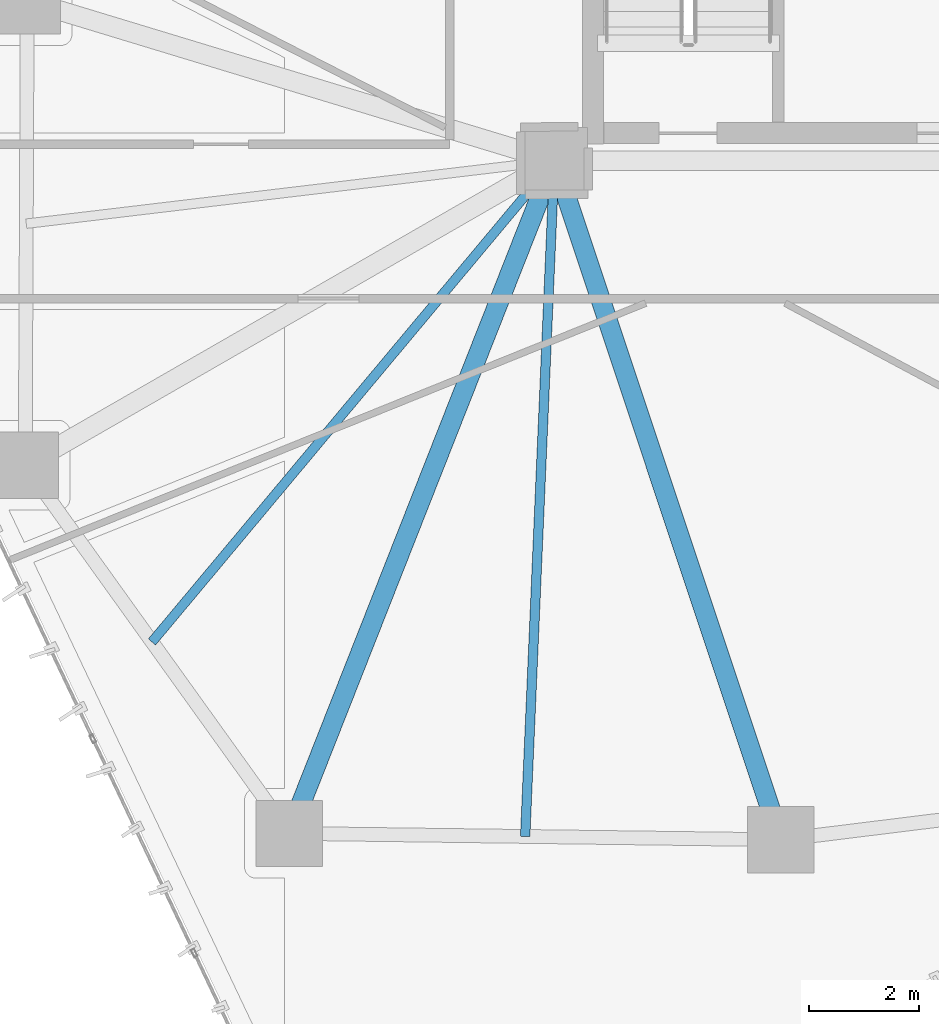
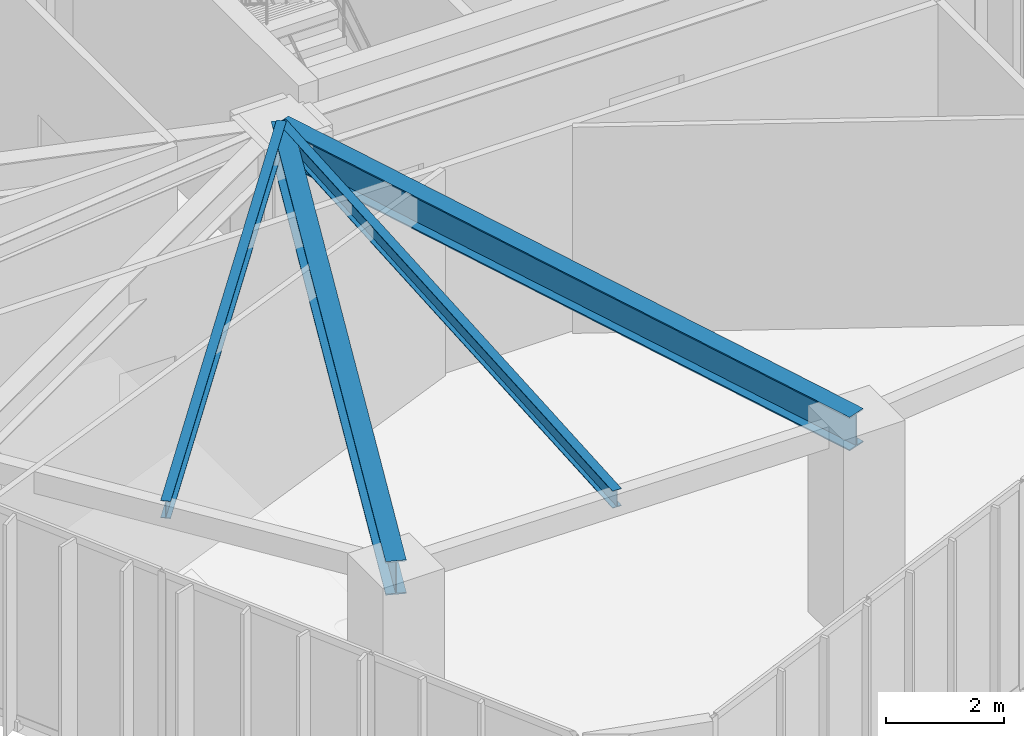
# One storey, part 5 of 28: 4 beams.
"""IFC4 building model written with IfcOpenShell, lengths in metres."""

from ifc_helpers import new_model, si_unit, direction, frame, origin, origin_2d, place, context, subcontext, project, spatial, i_section, extrude, material, material_profile, profile_set, type_object, element, save


model = new_model("IFC4")

# Units and contexts
model_context = context("Model", 3, precision=1e-05, world=origin(), true_north=direction((0.0, 1.0)))
body_context = subcontext(model_context, "Body", "Model", "MODEL_VIEW")
ifc_project = project(units=[si_unit("LENGTHUNIT", "METRE"), si_unit("AREAUNIT", "SQUARE_METRE"), si_unit("VOLUMEUNIT", "CUBIC_METRE"), si_unit("PLANEANGLEUNIT", "RADIAN"), si_unit("MASSUNIT", "GRAM", prefix="KILO")], contexts=[model_context])

# Site, building, storey
site_placement = place(None, origin())
site = spatial("IfcSite", under=ifc_project, at=site_placement, CompositionType="ELEMENT")
building_placement = place(site_placement, origin())
building = spatial("IfcBuilding", under=site, at=building_placement, Name="Talar Marvaseh", CompositionType="ELEMENT")
storey_placement = place(building_placement, frame((0.0, 0.0, 157.800048828125)))
storey = spatial("IfcBuildingStorey", under=building, at=storey_placement, Name="L41", CompositionType="ELEMENT", Elevation=157.800048828125)

# Beams
ifc_material = material(Name="Steel S355", Category="steel")
ifc_material_profile_1 = material_profile(ifc_material, i_section(OverallWidth=0.35498046875, OverallDepth=0.695068359375, WebThickness=0.015380859375, FlangeThickness=0.02490234375, at=origin_2d()), Name="W690x217")
ifc_profile_set_1 = profile_set([ifc_material_profile_1], Name="Steel S355")
beam_type_1 = type_object("IfcBeamType", Name="Zone 2 Radial Floor Girder W690x217", PredefinedType="BEAM", material=ifc_profile_set_1)
beam_1_placement = place(storey_placement, frame((22.804931640625, 13.18310546875, 3.90234375), z_axis=(-0.316182634321, 0.948698340756, 0.0), x_axis=(-0.948698340756, -0.316182634321, 0.0)))
element("IfcBeam", 1, at=beam_1_placement, inside=storey, type_object=beam_type_1, Name="L41 Zone 2 Radial Floor Girder W690x217", PredefinedType="BEAM", context=body_context, shape_type="SweptSolid", body=[
    extrude(i_section(OverallWidth=0.35498046875, OverallDepth=0.695068359375, WebThickness=0.015380859375, FlangeThickness=0.02490234375, at=origin_2d()), origin(), (0.0, 0.0, 1.0), 12.98291015625),
])
beam_2_placement = place(storey_placement, frame((13.89111328125, 13.299072265625, 3.90234375), z_axis=(0.366683712786, 0.930345664136, 0.0), x_axis=(-0.930345664136, 0.366683712786, 0.0)))
element("IfcBeam", 2, at=beam_2_placement, inside=storey, type_object=beam_type_1, Name="L41 Zone 2 Radial Floor Girder W690x217", PredefinedType="BEAM", context=body_context, shape_type="SweptSolid", body=[
    extrude(i_section(OverallWidth=0.35498046875, OverallDepth=0.695068359375, WebThickness=0.015380859375, FlangeThickness=0.02490234375, at=origin_2d()), origin(), (0.0, 0.0, 1.0), 13.114501953125),
])
ifc_material_profile_2 = material_profile(ifc_material, i_section(OverallWidth=0.172119140625, OverallDepth=0.35791015625, WebThickness=0.0078125, FlangeThickness=0.01318359375, at=origin_2d()), Name="W360x57")
ifc_profile_set_2 = profile_set([ifc_material_profile_2], Name="Steel S355")
beam_type_2 = type_object("IfcBeamType", Name="Zone 2 Secondary Floor Joist W360x57", PredefinedType="JOIST", material=ifc_profile_set_2)
beam_3_placement = place(storey_placement, frame((18.169677734375, 13.243408203125, 4.071044921875), z_axis=(0.043223912325, 0.999065409972, 0.0), x_axis=(-0.999065409972, 0.043223912325, 0.0)))
element("IfcBeam", 3, at=beam_3_placement, inside=storey, type_object=beam_type_2, Name="L41 Zone 2 Secondary Floor Joist W360x57", PredefinedType="JOIST", context=body_context, shape_type="SweptSolid", body=[
    extrude(i_section(OverallWidth=0.172119140625, OverallDepth=0.35791015625, WebThickness=0.0078125, FlangeThickness=0.01318359375, at=origin_2d()), origin(), (0.0, 0.0, 1.0), 12.26806640625),
])
beam_4_placement = place(storey_placement, frame((11.400146484375, 16.771484375, 4.071044921875), z_axis=(0.641534082313, 0.767094532135, 0.0), x_axis=(-0.767094532135, 0.641534082313, 0.0)))
element("IfcBeam", 4, at=beam_4_placement, inside=storey, type_object=beam_type_2, Name="L41 Zone 2 Secondary Floor Joist W360x57", PredefinedType="JOIST", context=body_context, shape_type="SweptSolid", body=[
    extrude(i_section(OverallWidth=0.172119140625, OverallDepth=0.35791015625, WebThickness=0.0078125, FlangeThickness=0.01318359375, at=origin_2d()), origin(), (0.0, 0.0, 1.0), 11.378662109375),
])

save(model, "model.ifc")
